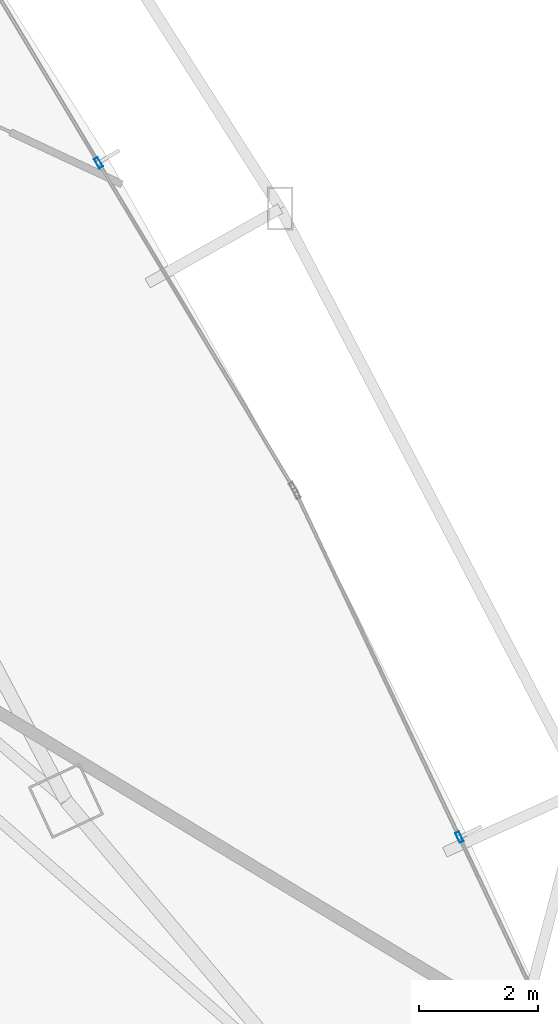
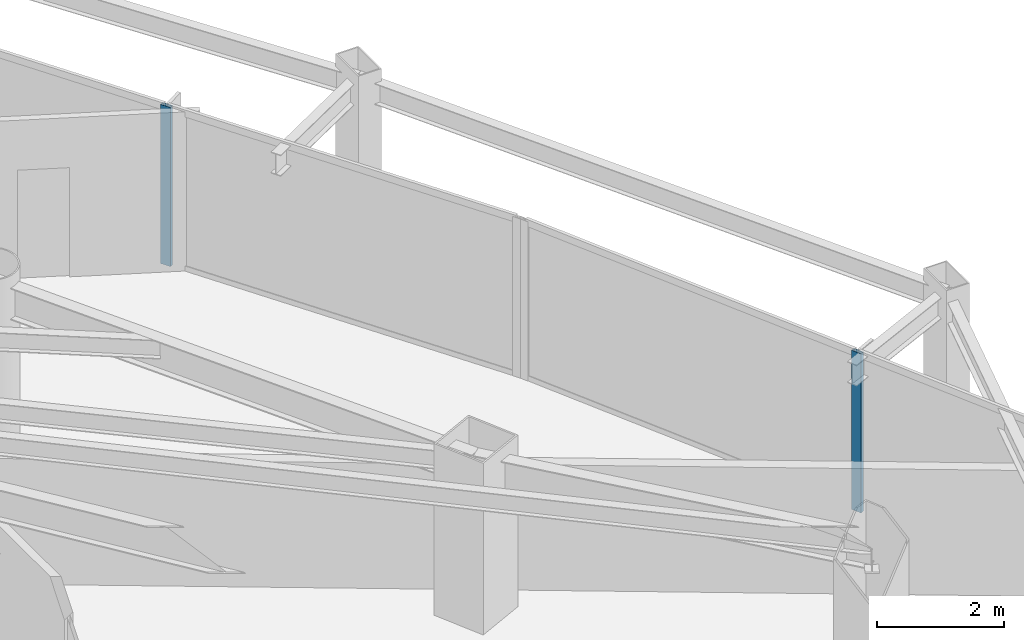
# One storey, part 20 of 38: 2 members, 2 elements without a shape of their own.
"""IFC4 building model written with IfcOpenShell, lengths in metres."""

import ifcopenshell
import ifcopenshell.guid

model = None  # the IFC model being written
_history = None  # IfcOwnerHistory: only IFC2X3 demands one
_inside = {}  # id of a spatial element -> (the spatial element, [elements in it])
_under = {}  # id of a project, library or spatial element -> (it, [spatial elements below it])
_declared = {}  # id of a project -> (the project, [libraries it declares])
_typed = {}  # id of a type object -> (the type object, [elements of that type])
_made_of = {}  # id of a material, layer set ... -> (it, [elements and type objects made of it])


def new_model(schema):
    """Start an empty IFC model of exactly this schema.

    Asked for "IFC4X3", IfcOpenShell would pick the latest addendum, in which some entities
    have other attributes; the version numbers below select the first issue.
    IFC2X3 requires an IfcOwnerHistory on every rooted entity: one is made here for all.
    """
    global model, _history
    if schema == "IFC4X3":
        model = ifcopenshell.file(schema_version=(4, 3, 0, 0))
    else:
        model = ifcopenshell.file(schema=schema)
    _inside.clear()
    _under.clear()
    _declared.clear()
    _typed.clear()
    _made_of.clear()
    _history = None
    if model.schema == "IFC2X3":
        org = make("IfcOrganization", Name="unknown")
        user = make(
            "IfcPersonAndOrganization",
            ThePerson=make("IfcPerson", FamilyName="unknown"),
            TheOrganization=org,
        )
        app = make(
            "IfcApplication",
            ApplicationDeveloper=org,
            Version="unknown",
            ApplicationFullName="unknown",
            ApplicationIdentifier="unknown",
        )
        _history = make(
            "IfcOwnerHistory",
            OwningUser=user,
            OwningApplication=app,
            ChangeAction="ADDED",
            CreationDate=0,
        )
    return model


def make(cls, **values):
    """One entity of the class cls with the attributes given. An attribute that is None is left unset."""
    return model.create_entity(
        cls, **{name: value for name, value in values.items() if value is not None}
    )


def rooted(cls, **values):
    """An entity with a GlobalId (a new one), such as an element, a storey or a relation."""
    return make(cls, GlobalId=ifcopenshell.guid.new(), OwnerHistory=_history, **values)


def si_unit(unit_type, name, prefix=None):
    """IfcSIUnit, for example si_unit("LENGTHUNIT", "METRE", prefix="MILLI")."""
    return make("IfcSIUnit", UnitType=unit_type, Prefix=prefix, Name=name)


def assignment(units):
    """IfcUnitAssignment: the units of a project."""
    return None if units is None else make("IfcUnitAssignment", Units=units)


def point(xyz):
    """IfcCartesianPoint."""
    return None if xyz is None else make("IfcCartesianPoint", Coordinates=xyz)


def direction(xyz):
    """IfcDirection."""
    return None if xyz is None else make("IfcDirection", DirectionRatios=xyz)


def frame(location, z_axis=None, x_axis=None):
    """IfcAxis2Placement3D, a coordinate frame: its origin and axes. An axis left out is left unset."""
    return make(
        "IfcAxis2Placement3D",
        Location=point(location),
        Axis=direction(z_axis),
        RefDirection=direction(x_axis),
    )


def frame_2d(location, x_axis=None):
    """IfcAxis2Placement2D, a coordinate frame in the plane: its origin and x axis."""
    return make(
        "IfcAxis2Placement2D", Location=point(location), RefDirection=direction(x_axis)
    )


def origin():
    """The frame at (0, 0, 0) with its axes left unset."""
    return frame((0.0, 0.0, 0.0))


def origin_2d():
    """The frame at (0, 0) in the plane with its x axis left unset."""
    return frame_2d((0.0, 0.0))


def place(relative_to, where):
    """IfcLocalPlacement: puts the frame where relative to a parent placement (None: the world)."""
    return make(
        "IfcLocalPlacement", PlacementRelTo=relative_to, RelativePlacement=where
    )


def context(
    kind, dimensions, precision=None, world=None, true_north=None, identifier=None
):
    """IfcGeometricRepresentationContext, for example the 3D "Model" context."""
    return make(
        "IfcGeometricRepresentationContext",
        ContextIdentifier=identifier,
        ContextType=kind,
        CoordinateSpaceDimension=dimensions,
        Precision=precision,
        WorldCoordinateSystem=world,
        TrueNorth=true_north,
    )


def subcontext(parent, identifier, kind, view, scale=None):
    """IfcGeometricRepresentationSubContext, for example "Body" below "Model"."""
    return make(
        "IfcGeometricRepresentationSubContext",
        ContextIdentifier=identifier,
        ContextType=kind,
        ParentContext=parent,
        TargetScale=scale,
        TargetView=view,
    )


def project(units=None, contexts=None):
    """IfcProject with its units and contexts."""
    return rooted(
        "IfcProject",
        Name="project",
        RepresentationContexts=contexts,
        UnitsInContext=assignment(units),
    )


def spatial(cls, under=None, at=None, **own):
    """A site, building, storey or space (cls), placed at a placement, below another one or the project."""
    s = rooted(cls, ObjectPlacement=at, **own)
    if under is not None:
        _under.setdefault(under.id(), (under, []))[1].append(s)
    return s


def profile(cls, at=None, kind="AREA", **sizes):
    """A parametric profile (cls). Its sizes go by their IFC names, for example OverallWidth=200.0."""
    return make(cls, ProfileType=kind, Position=at, **sizes)


def hollow_rectangle(**sizes):
    """IfcRectangleHollowProfileDef."""
    return profile("IfcRectangleHollowProfileDef", **sizes)


def extrude(swept, where, along, depth):
    """IfcExtrudedAreaSolid: the profile swept, set in the frame where, extruded along a direction by depth."""
    return make(
        "IfcExtrudedAreaSolid",
        SweptArea=swept,
        Position=where,
        ExtrudedDirection=direction(along),
        Depth=depth,
    )


def shape(context_of_items, identifier, shape_type, items):
    """IfcShapeRepresentation: the items that make up one representation, for example the "Body"."""
    return make(
        "IfcShapeRepresentation",
        ContextOfItems=context_of_items,
        RepresentationIdentifier=identifier,
        RepresentationType=shape_type,
        Items=items,
    )


def material(Name=None, Category=None):
    """IfcMaterial."""
    return make("IfcMaterial", Name=Name, Category=Category)


def layer(
    of_material, thickness, ventilated=None, Name=None, Category=None, Priority=None
):
    """IfcMaterialLayer: one layer of a wall or slab, of a material (None: an air gap)."""
    return make(
        "IfcMaterialLayer",
        Material=of_material,
        LayerThickness=thickness,
        IsVentilated=ventilated,
        Name=Name,
        Category=Category,
        Priority=Priority,
    )


def layer_set(layers, Name=None):
    """IfcMaterialLayerSet."""
    return make("IfcMaterialLayerSet", MaterialLayers=layers, LayerSetName=Name)


def material_profile(
    of_material, cross_section, Name=None, Category=None, Priority=None
):
    """IfcMaterialProfile: a cross section and its material."""
    return make(
        "IfcMaterialProfile",
        Name=Name,
        Material=of_material,
        Profile=cross_section,
        Priority=Priority,
        Category=Category,
    )


def profile_set(profiles, Name=None, composite=None):
    """IfcMaterialProfileSet."""
    return make(
        "IfcMaterialProfileSet",
        Name=Name,
        MaterialProfiles=profiles,
        CompositeProfile=composite,
    )


def made_of(thing, what):
    """Note that an element or type object is made of a material, layer set ...; save() writes the relation."""
    if what is not None:
        _made_of.setdefault(what.id(), (what, []))[1].append(thing)
    return thing


def type_object(cls, material=None, **own):
    """A type object (cls), such as IfcWallType, which elements share."""
    return made_of(rooted(cls, **own), material)


def element(
    cls,
    number,
    at=None,
    inside=None,
    cuts=None,
    type_object=None,
    material=None,
    context=None,
    identifier="Body",
    shape_type=None,
    held_by="IfcProductDefinitionShape",
    body=None,
    shapes=None,
    **own,
):
    """One element of the class cls, such as IfcWall. Its Tag is "e" and its number.

    at: its placement. inside: the storey or other place that contains it. cuts: it is an
    opening in that element (IfcRelVoidsElement). A single representation is given by context,
    identifier, shape_type and body (its items); several are given by shapes. held_by: the class
    of the entity that holds the representations. save() writes the other relations.
    """
    e = rooted(cls, Tag="e%d" % number, ObjectPlacement=at, **own)
    if body is not None:
        shapes = [shape(context, identifier, shape_type, body)]
    if shapes is not None:
        e.Representation = make(held_by, Representations=shapes)
    if inside is not None:
        _inside.setdefault(inside.id(), (inside, []))[1].append(e)
    if cuts is not None:
        rooted(
            "IfcRelVoidsElement", RelatingBuildingElement=cuts, RelatedOpeningElement=e
        )
    if type_object is not None:
        _typed.setdefault(type_object.id(), (type_object, []))[1].append(e)
    return made_of(e, material)


def aggregate(whole, parts):
    """IfcRelAggregates: a whole, such as a stair, and the parts it consists of."""
    return rooted("IfcRelAggregates", RelatingObject=whole, RelatedObjects=parts)


def save(model, path):
    """Write the relations noted so far, then the file.

    IfcRelAggregates (storeys below a building ...), IfcRelContainedInSpatialStructure (elements
    in a storey), IfcRelDefinesByType, IfcRelAssociatesMaterial and IfcRelDeclares: one each for
    every whole, place, type object, material and project.
    """
    for whole, parts in _under.values():
        aggregate(whole, parts)
    for where, things in _inside.values():
        rooted(
            "IfcRelContainedInSpatialStructure",
            RelatedElements=things,
            RelatingStructure=where,
        )
    for kind, things in _typed.values():
        rooted("IfcRelDefinesByType", RelatedObjects=things, RelatingType=kind)
    for what, things in _made_of.values():
        rooted("IfcRelAssociatesMaterial", RelatedObjects=things, RelatingMaterial=what)
    for by, libraries in _declared.values():
        rooted("IfcRelDeclares", RelatingContext=by, RelatedDefinitions=libraries)
    model.write(path)


model = new_model("IFC4")

# Units and contexts
model_context = context("Model", 3, precision=1e-05, world=origin(), true_north=direction((0.0, 1.0)))
body_context = subcontext(model_context, "Body", "Model", "MODEL_VIEW")
ifc_project = project(units=[si_unit("LENGTHUNIT", "METRE"), si_unit("AREAUNIT", "SQUARE_METRE"), si_unit("VOLUMEUNIT", "CUBIC_METRE"), si_unit("PLANEANGLEUNIT", "RADIAN"), si_unit("MASSUNIT", "GRAM", prefix="KILO")], contexts=[model_context])

# Site, building, storey
site_placement = place(None, origin())
site = spatial("IfcSite", under=ifc_project, at=site_placement, CompositionType="ELEMENT")
building_placement = place(site_placement, origin())
building = spatial("IfcBuilding", under=site, at=building_placement, Name="Orvanel Arch Residences", CompositionType="ELEMENT")
storey_placement = place(building_placement, frame((0.0, 0.0, 43.39990234375)))
storey = spatial("IfcBuildingStorey", under=building, at=storey_placement, Name="L11", CompositionType="ELEMENT", Elevation=43.39990234375)

# Curtain wall, member
ifc_material = material(Name="Bronze-anodised aluminium AA6063-T6", Category="aluminium")
ifc_layer = layer(ifc_material, 0.179931640625)
ifc_layer_set = layer_set([ifc_layer], Name="Bronze-anodised aluminium AA6063-T6")
curtain_wall_type = type_object("IfcCurtainWallType", Name="CW2-LOW-SYS", PredefinedType="NOTDEFINED", material=ifc_layer_set)
curtain_wall_1_placement = place(storey_placement, origin())
curtain_wall_1 = element("IfcCurtainWall", 1, at=curtain_wall_1_placement, inside=storey, type_object=curtain_wall_type, Name="L11 CW2-LOW-SYS Unitised Curtain Wall", PredefinedType="NOTDEFINED")
ifc_material_profile = material_profile(ifc_material, hollow_rectangle(XDim=0.070068359375, YDim=0.179931640625, WallThickness=0.00439453125, at=origin_2d()), Name="ALU180x70x4.5")
ifc_profile_set = profile_set([ifc_material_profile], Name="Bronze-anodised aluminium AA6063-T6")
member_type = type_object("IfcMemberType", Name="MUL-180x70", PredefinedType="MULLION", material=ifc_profile_set)
member_1_placement = place(storey_placement, frame((56.221923828125, 19.033447265625, 0.0), z_axis=(0.0, 0.0, 1.0), x_axis=(-0.903580469731, -0.42841841081, 0.0)))
member_1 = element("IfcMember", 2, at=member_1_placement, type_object=member_type, Name="CW-S2 mullion 2", PredefinedType="MULLION", context=body_context, shape_type="SweptSolid", body=[
    extrude(hollow_rectangle(XDim=0.070068359375, YDim=0.179931640625, WallThickness=0.00439453125, at=origin_2d()), origin(), (0.0, 0.0, 1.0), 3.06005859375),
])
aggregate(curtain_wall_1, [member_1])

curtain_wall_2_placement = place(storey_placement, origin())
curtain_wall_2 = element("IfcCurtainWall", 3, at=curtain_wall_2_placement, inside=storey, type_object=curtain_wall_type, Name="L11 CW2-LOW-SYS Unitised Curtain Wall", PredefinedType="NOTDEFINED")
member_2_placement = place(storey_placement, frame((50.177978515625, 30.326416015625, 0.0), z_axis=(0.0, 0.0, 1.0), x_axis=(-0.857569020053, -0.514368910263, 0.0)))
member_2 = element("IfcMember", 4, at=member_2_placement, type_object=member_type, Name="CW-S2 mullion 2", PredefinedType="MULLION", context=body_context, shape_type="SweptSolid", body=[
    extrude(hollow_rectangle(XDim=0.070068359375, YDim=0.179931640625, WallThickness=0.00439453125, at=origin_2d()), origin(), (0.0, 0.0, 1.0), 3.06005859375),
])
aggregate(curtain_wall_2, [member_2])

save(model, "model.ifc")
